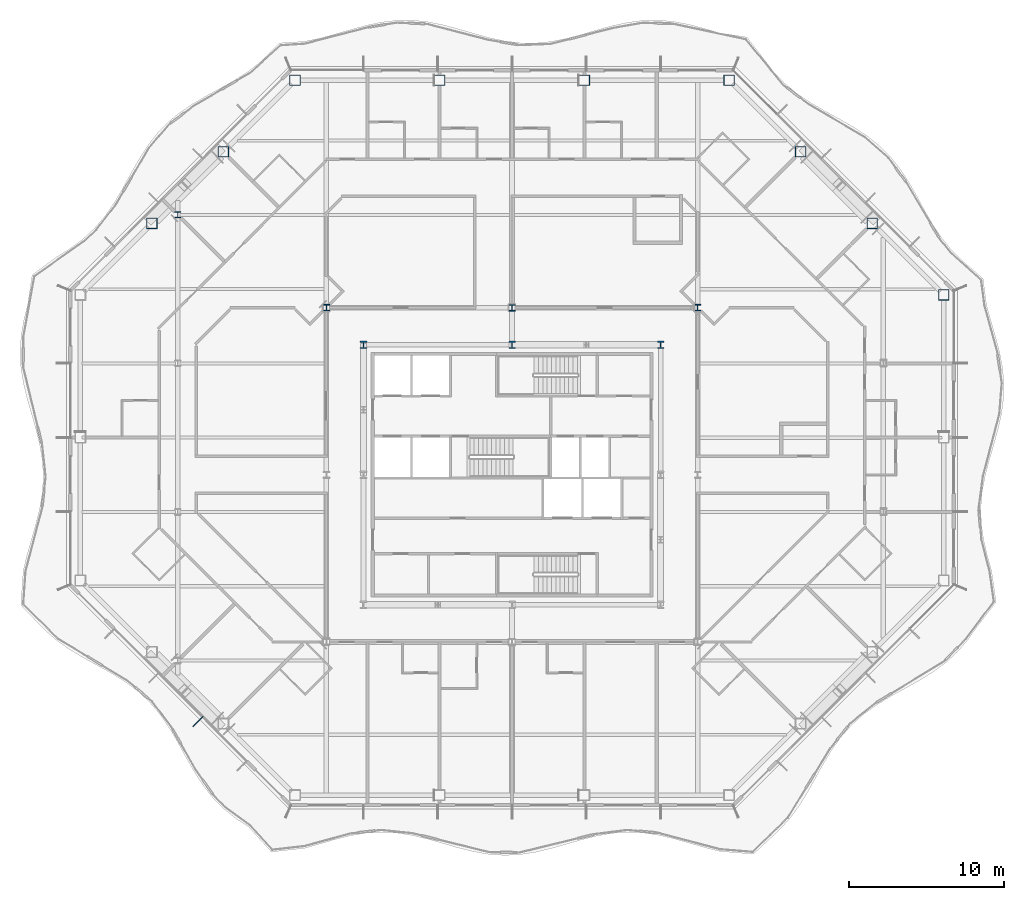
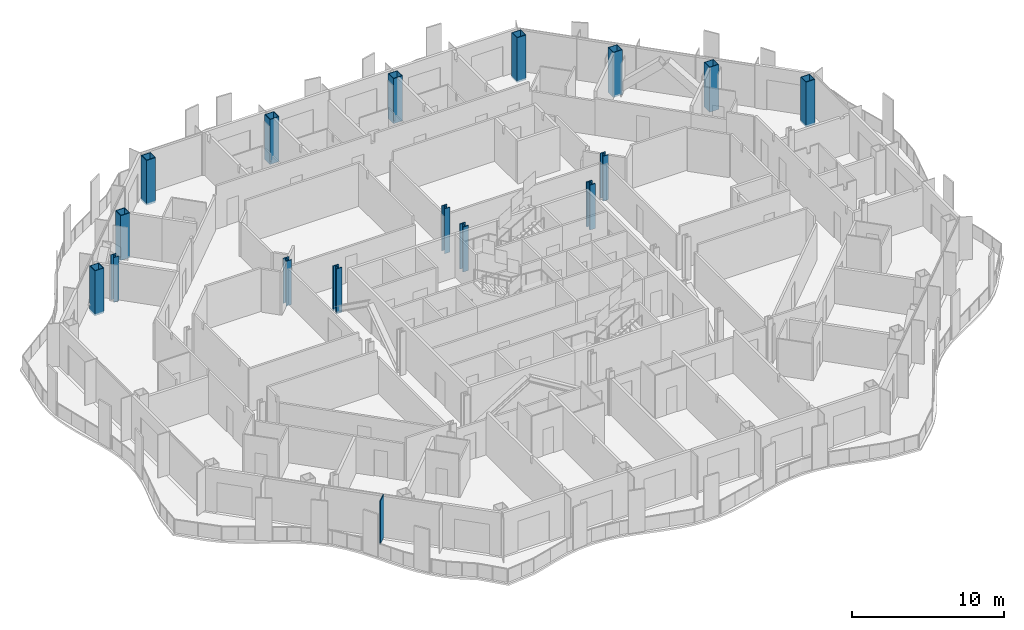
# One storey, part 2 of 21: 16 columns, 1 member, 1 element without a shape of its own.
"""IFC4 building model written with IfcOpenShell, lengths in metres."""

from ifc_helpers import new_model, si_unit, direction, frame, origin, origin_2d, place, context, subcontext, project, spatial, rectangle, hollow_rectangle, i_section, extrude, material, material_profile, profile_set, type_object, element, aggregate, save


model = new_model("IFC4")

# Units and contexts
model_context = context("Model", 3, precision=1e-05, world=origin(), true_north=direction((0.0, 1.0)))
body_context = subcontext(model_context, "Body", "Model", "MODEL_VIEW")
ifc_project = project(units=[si_unit("LENGTHUNIT", "METRE"), si_unit("AREAUNIT", "SQUARE_METRE"), si_unit("VOLUMEUNIT", "CUBIC_METRE"), si_unit("PLANEANGLEUNIT", "RADIAN"), si_unit("MASSUNIT", "GRAM", prefix="KILO")], contexts=[model_context])

# Site, building, storey
site_placement = place(None, origin())
site = spatial("IfcSite", under=ifc_project, at=site_placement, CompositionType="ELEMENT")
building_placement = place(site_placement, origin())
building = spatial("IfcBuilding", under=site, at=building_placement, Name="Cairn Pilgrim Tower", CompositionType="ELEMENT")
storey_placement = place(building_placement, frame((0.0, 0.0, 143.39990234375)))
storey = spatial("IfcBuildingStorey", under=building, at=storey_placement, Name="L35", CompositionType="ELEMENT", Elevation=143.39990234375)

# Columns
ifc_material_1 = material(Name="Structural steel S460M", Category="steel")
ifc_material_profile_1 = material_profile(ifc_material_1, hollow_rectangle(XDim=0.699951171875, YDim=0.699951171875, WallThickness=0.0400390625, at=origin_2d()), Name="BOX 700x700x40")
ifc_profile_set_1 = profile_set([ifc_material_profile_1], Name="Structural steel S460M")
column_type_1 = type_object("IfcColumnType", Name="BOX 700x700x40", PredefinedType="COLUMN", material=ifc_profile_set_1)
for number, where, z_axis, x_axis, name in (
    (1, (35.10009765625, 14.027099609375, -0.14990234375), (0.0, 0.0, 1.0), (1.0, 0.0, 0.0), "PC2-NE1"),
    (2, (30.4755859375, 18.651611328125, -0.14990234375), (0.0, 0.0, 1.0), (1.0, 0.0, 0.0), "PC2-NE2"),
    (3, (25.8515625, 23.275634765625, -0.14990234375), (0.0, 0.0, 1.0), (1.0, 0.0, 0.0), "PC2-NE3"),
    (4, (21.227294921875, 27.89990234375, -0.14990234375), (0.0, 0.0, 1.0), (1.0, 0.0, 0.0), "PC2-N1"),
    (5, (11.875732421875, 27.89990234375, -0.14990234375), (0.0, 0.0, 1.0), (1.0, 0.0, 0.0), "PC2-N2"),
    (6, (2.5244140625, 27.89990234375, -0.14990234375), (0.0, 0.0, 1.0), (1.0, 0.0, 0.0), "PC2-N3"),
    (7, (-6.8271484375, 27.89990234375, -0.14990234375), (0.0, 0.0, 1.0), (1.0, 0.0, 0.0), "PC2-NW1"),
    (8, (-11.451416015625, 23.275634765625, -0.14990234375), (0.0, 0.0, 1.0), (1.0, 0.0, 0.0), "PC2-NW2"),
    (9, (-16.07568359375, 18.651611328125, -0.14990234375), (0.0, 0.0, 1.0), (1.0, 0.0, 0.0), "PC2-NW3"),
):
    element("IfcColumn", number, at=place(storey_placement, frame(where, z_axis=z_axis, x_axis=x_axis)), inside=storey, type_object=column_type_1, Name=name, PredefinedType="COLUMN", context=body_context, shape_type="SweptSolid", body=[
        extrude(hollow_rectangle(XDim=0.699951171875, YDim=0.699951171875, WallThickness=0.0400390625, at=origin_2d()), origin(), (0.0, 0.0, 1.0), 3.60009765625),
    ])
ifc_material_2 = material(Name="Structural steel S355J2", Category="steel")
ifc_material_profile_2 = material_profile(ifc_material_2, i_section(OverallWidth=0.39892578125, OverallDepth=0.39306640625, WebThickness=0.022705078125, FlangeThickness=0.03662109375, FilletRadius=0.014892578125, at=origin_2d()), Name="HD 400x287")
ifc_profile_set_2 = profile_set([ifc_material_profile_2], Name="Structural steel S355J2")
column_type_2 = type_object("IfcColumnType", Name="HD 400x287", PredefinedType="COLUMN", material=ifc_profile_set_2)
column_placement = place(storey_placement, frame((-14.39990234375, 19.199951171875, -0.14990234375), z_axis=(0.0, 0.0, 1.0), x_axis=(1.0, 0.0, 0.0)))
element("IfcColumn", 10, at=column_placement, inside=storey, type_object=column_type_2, Name="WC-WW+4", PredefinedType="COLUMN", context=body_context, shape_type="SweptSolid", body=[
    extrude(i_section(OverallWidth=0.39892578125, OverallDepth=0.39306640625, WebThickness=0.022705078125, FlangeThickness=0.03662109375, FilletRadius=0.014892578125, at=origin_2d()), origin(), (0.0, 0.0, 1.0), 3.60009765625),
])
ifc_material_profile_3 = material_profile(ifc_material_1, i_section(OverallWidth=0.408935546875, OverallDepth=0.425048828125, WebThickness=0.03271484375, FlangeThickness=0.052490234375, FilletRadius=0.014892578125, at=origin_2d()), Name="HD 400x421")
ifc_profile_set_3 = profile_set([ifc_material_profile_3], Name="Structural steel S460M")
column_type_3 = type_object("IfcColumnType", Name="HD 400x421", PredefinedType="COLUMN", material=ifc_profile_set_3)
for number, where, z_axis, x_axis, name in (
    (11, (-4.800048828125, 13.199951171875, -0.14990234375), (0.0, 0.0, 1.0), (1.0, 0.0, 0.0), "IC-6"),
    (12, (7.199951171875, 13.199951171875, -0.14990234375), (0.0, 0.0, 1.0), (1.0, 0.0, 0.0), "IC-7"),
    (13, (19.199951171875, 13.199951171875, -0.14990234375), (0.0, 0.0, 1.0), (1.0, 0.0, 0.0), "IC-8"),
):
    element("IfcColumn", number, at=place(storey_placement, frame(where, z_axis=z_axis, x_axis=x_axis)), inside=storey, type_object=column_type_3, Name=name, PredefinedType="COLUMN", context=body_context, shape_type="SweptSolid", body=[
        extrude(i_section(OverallWidth=0.408935546875, OverallDepth=0.425048828125, WebThickness=0.03271484375, FlangeThickness=0.052490234375, FilletRadius=0.014892578125, at=origin_2d()), origin(), (0.0, 0.0, 1.0), 3.60009765625),
    ])
ifc_material_profile_4 = material_profile(ifc_material_1, i_section(OverallWidth=0.424072265625, OverallDepth=0.47412109375, WebThickness=0.047607421875, FlangeThickness=0.0771484375, FilletRadius=0.014892578125, at=origin_2d()), Name="HD 400x634")
ifc_profile_set_4 = profile_set([ifc_material_profile_4], Name="Structural steel S460M")
column_type_4 = type_object("IfcColumnType", Name="HD 400x634", PredefinedType="COLUMN", material=ifc_profile_set_4)
for number, where, z_axis, x_axis, name in (
    (14, (-2.39990234375, 10.800048828125, -0.14990234375), (0.0, 0.0, 1.0), (1.0, 0.0, 0.0), "KC-6"),
    (15, (7.199951171875, 10.800048828125, -0.14990234375), (0.0, 0.0, 1.0), (1.0, 0.0, 0.0), "KC-7"),
    (16, (16.800048828125, 10.800048828125, -0.14990234375), (0.0, 0.0, 1.0), (1.0, 0.0, 0.0), "KC-8"),
):
    element("IfcColumn", number, at=place(storey_placement, frame(where, z_axis=z_axis, x_axis=x_axis)), inside=storey, type_object=column_type_4, Name=name, PredefinedType="COLUMN", context=body_context, shape_type="SweptSolid", body=[
        extrude(i_section(OverallWidth=0.424072265625, OverallDepth=0.47412109375, WebThickness=0.047607421875, FlangeThickness=0.0771484375, FilletRadius=0.014892578125, at=origin_2d()), origin(), (0.0, 0.0, 1.0), 3.60009765625),
    ])

# Curtain wall, member
ifc_material_3 = material(Name="Aluminium alloy 6063-T6 bronze anodised with Bronze tinted laminated low-E glass 8+16+8.8", Category="aluminium")
curtain_wall_type = type_object("IfcCurtainWallType", Name="CHAMFER CORNER CURTAIN WALL", PredefinedType="NOTDEFINED", material=ifc_material_3)
curtain_wall_placement = place(storey_placement, origin())
curtain_wall = element("IfcCurtainWall", 17, at=curtain_wall_placement, inside=storey, type_object=curtain_wall_type, Name="Chamfer Corner Curtain Wall SW", PredefinedType="NOTDEFINED")
ifc_material_4 = material(Name="Aluminium alloy 6063-T6 bronze anodised", Category="aluminium")
ifc_material_profile_5 = material_profile(ifc_material_4, rectangle(XDim=0.89990234375, YDim=0.06005859375, at=origin_2d()), Name="FIN MULLION 60x900 BRONZE")
ifc_profile_set_5 = profile_set([ifc_material_profile_5], Name="Aluminium alloy 6063-T6 bronze anodised")
member_type = type_object("IfcMemberType", Name="FIN MULLION 60x900 BRONZE", PredefinedType="MULLION", material=ifc_profile_set_5)
member_placement = place(storey_placement, frame((-13.094970703125, -13.545654296875, 0.0), z_axis=(0.0, 0.0, 1.0), x_axis=(-0.707106781187, -0.707106781187, 0.0)))
member = element("IfcMember", 18, at=member_placement, type_object=member_type, Name="Fin mullion SW4", PredefinedType="MULLION", context=body_context, shape_type="SweptSolid", body=[
    extrude(rectangle(XDim=0.89990234375, YDim=0.06005859375, at=origin_2d()), origin(), (0.0, 0.0, 1.0), 3.4501953125),
])
aggregate(curtain_wall, [member])

save(model, "model.ifc")
